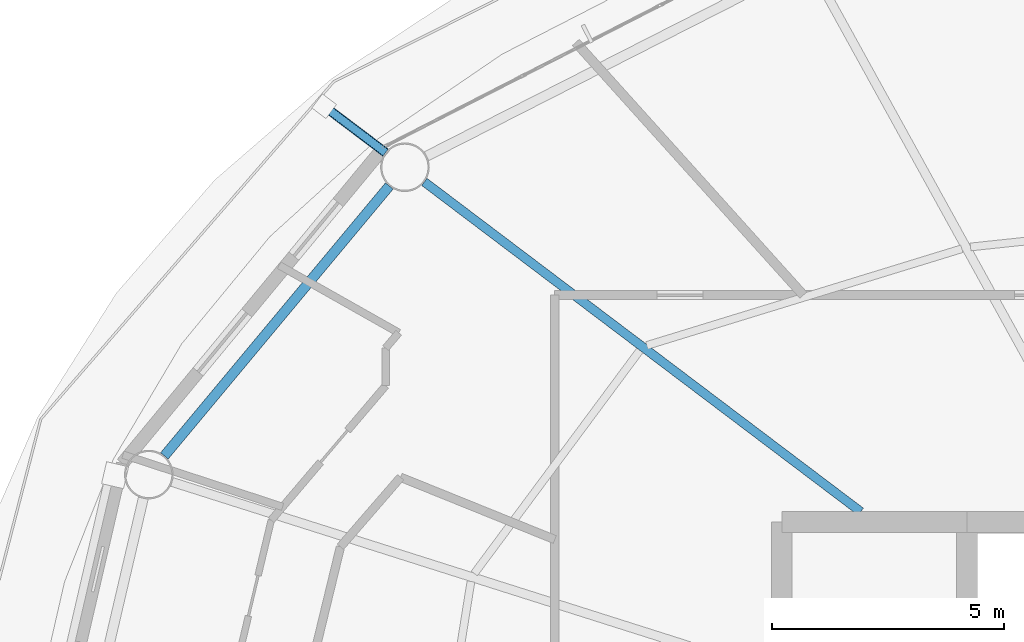
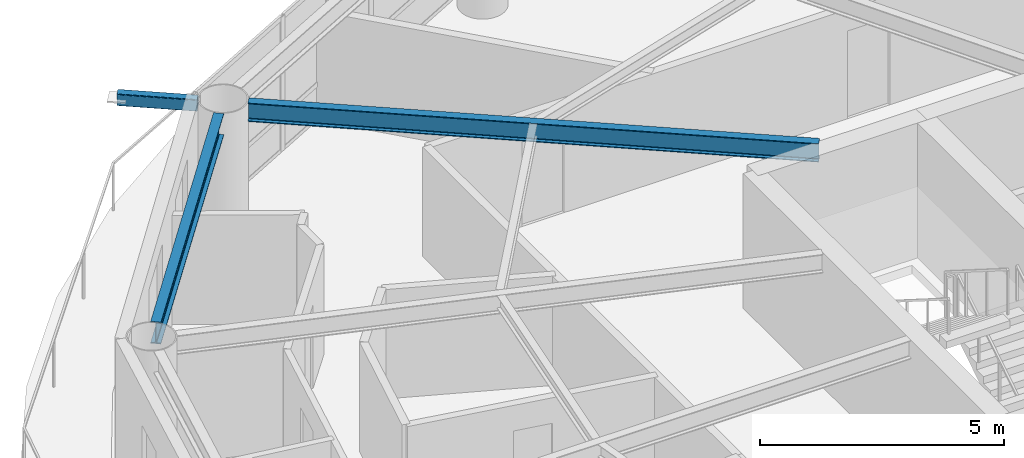
# One storey, part 10 of 30: 2 beams, 1 member.
"""IFC4 building model written with IfcOpenShell, lengths in metres."""

from ifc_helpers import new_model, si_unit, direction, frame, origin, origin_2d, place, context, subcontext, project, spatial, hollow_rectangle, i_section, extrude, material, material_profile, profile_set, type_object, element, save


model = new_model("IFC4")

# Units and contexts
model_context = context("Model", 3, precision=1e-05, world=origin(), true_north=direction((0.0, 1.0)))
body_context = subcontext(model_context, "Body", "Model", "MODEL_VIEW")
ifc_project = project(units=[si_unit("LENGTHUNIT", "METRE"), si_unit("AREAUNIT", "SQUARE_METRE"), si_unit("VOLUMEUNIT", "CUBIC_METRE"), si_unit("PLANEANGLEUNIT", "RADIAN"), si_unit("MASSUNIT", "GRAM", prefix="KILO")], contexts=[model_context])

# Site, building, storey
site_placement = place(None, origin())
site = spatial("IfcSite", under=ifc_project, at=site_placement, CompositionType="ELEMENT")
building_placement = place(site_placement, origin())
building = spatial("IfcBuilding", under=site, at=building_placement, Name="Sarneth Arch Tower", CompositionType="ELEMENT")
storey_placement = place(building_placement, frame((0.0, 0.0, 168.60009765625)))
storey = spatial("IfcBuildingStorey", under=building, at=storey_placement, Name="L42", CompositionType="ELEMENT", Elevation=168.60009765625)

# Beams
ifc_material_1 = material(Name="Steel S355", Category="steel")
ifc_material_profile_1 = material_profile(ifc_material_1, i_section(OverallWidth=0.193115234375, OverallDepth=0.466064453125, WebThickness=0.011474609375, FlangeThickness=0.01904296875, FilletRadius=0.01806640625, at=origin_2d()), Name="W460x97")
ifc_profile_set_1 = profile_set([ifc_material_profile_1], Name="Steel S355")
beam_type_1 = type_object("IfcBeamType", Name="BM-RAD-460C", PredefinedType="BEAM", material=ifc_profile_set_1)
beam_1_placement = place(storey_placement, frame((38.70458984375, 49.02490234375, 3.14697265625), z_axis=(-0.797786205076, 0.602940437349, 0.0), x_axis=(-0.602940437349, -0.797786205076, 0.0)))
element("IfcBeam", 1, at=beam_1_placement, inside=storey, type_object=beam_type_1, Name="L42 Radial floor girder 07", PredefinedType="BEAM", context=body_context, shape_type="SweptSolid", body=[
    extrude(i_section(OverallWidth=0.193115234375, OverallDepth=0.466064453125, WebThickness=0.011474609375, FlangeThickness=0.01904296875, FilletRadius=0.01806640625, at=origin_2d()), origin(), (0.0, 0.0, 1.0), 11.806884765625),
])
ifc_material_2 = material(Name="Steel S355", Category="steel")
ifc_material_profile_2 = material_profile(ifc_material_2, i_section(OverallWidth=0.214111328125, OverallDepth=0.549072265625, WebThickness=0.0146484375, FlangeThickness=0.023681640625, FilletRadius=0.01806640625, at=origin_2d()), Name="W530x138")
ifc_profile_set_2 = profile_set([ifc_material_profile_2], Name="Steel S355")
beam_type_2 = type_object("IfcBeamType", Name="BM-RAD-530A", PredefinedType="BEAM", material=ifc_profile_set_2)
beam_2_placement = place(storey_placement, frame((28.530029296875, 56.056884765625, 3.10546875), z_axis=(-0.640171737024, -0.768231831621, 0.0), x_axis=(0.768231831621, -0.640171737024, 0.0)))
element("IfcBeam", 2, at=beam_2_placement, inside=storey, type_object=beam_type_2, Name="L42 Perimeter spandrel beam 07", PredefinedType="BEAM", context=body_context, shape_type="SweptSolid", body=[
    extrude(i_section(OverallWidth=0.214111328125, OverallDepth=0.549072265625, WebThickness=0.0146484375, FlangeThickness=0.023681640625, FilletRadius=0.01806640625, at=origin_2d()), origin(), (0.0, 0.0, 1.0), 7.585693359375),
])

# Member
ifc_material_3 = material(Name="Steel S355", Category="steel")
ifc_material_profile_3 = material_profile(ifc_material_3, hollow_rectangle(XDim=0.199951171875, YDim=0.300048828125, WallThickness=0.012451171875, InnerFilletRadius=0.018798828125, OuterFilletRadius=0.03125, at=origin_2d()), Name="RHS300x200x12.5")
ifc_profile_set_3 = profile_set([ifc_material_profile_3], Name="Steel S355")
member_type = type_object("IfcMemberType", Name="MEM-CANT-STRUT", PredefinedType="STRUT", material=ifc_profile_set_3)
member_placement = place(storey_placement, frame((28.447265625, 56.77685546875, 3.219970703125), z_axis=(-0.797787094943, 0.602939259912, 0.0), x_axis=(-0.602939259912, -0.797787094943, 0.0)))
element("IfcMember", 3, at=member_placement, inside=storey, type_object=member_type, Name="L42 Balcony cantilever bracket 07", PredefinedType="STRUT", context=body_context, shape_type="SweptSolid", body=[
    extrude(hollow_rectangle(XDim=0.199951171875, YDim=0.300048828125, WallThickness=0.012451171875, InnerFilletRadius=0.018798828125, OuterFilletRadius=0.03125, at=origin_2d()), origin(), (0.0, 0.0, 1.0), 1.658935546875),
])

save(model, "model.ifc")
